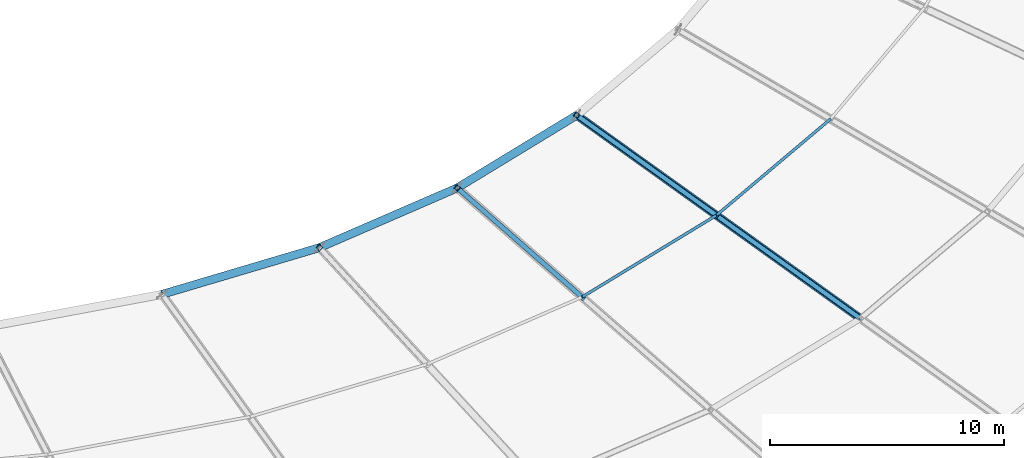
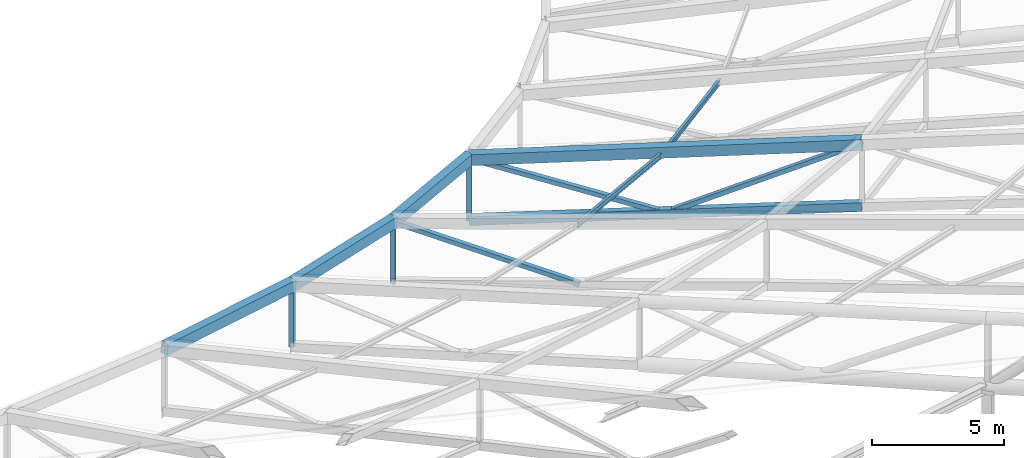
# One storey, part 64 of 143: 8 members, 5 beams.
"""IFC4 building model written with IfcOpenShell, lengths in metres."""

from ifc_helpers import new_model, si_unit, direction, frame, origin, origin_2d, place, context, subcontext, project, spatial, hollow_rectangle, i_section, extrude, material, material_profile, profile_set, type_object, element, save


model = new_model("IFC4")

# Units and contexts
model_context = context("Model", 3, precision=1e-05, world=origin(), true_north=direction((0.0, 1.0)))
body_context = subcontext(model_context, "Body", "Model", "MODEL_VIEW")
ifc_project = project(units=[si_unit("LENGTHUNIT", "METRE"), si_unit("AREAUNIT", "SQUARE_METRE"), si_unit("VOLUMEUNIT", "CUBIC_METRE"), si_unit("PLANEANGLEUNIT", "RADIAN"), si_unit("MASSUNIT", "GRAM", prefix="KILO")], contexts=[model_context])

# Site, building, storey
site_placement = place(None, origin())
site = spatial("IfcSite", under=ifc_project, at=site_placement, CompositionType="ELEMENT")
building_placement = place(site_placement, origin())
building = spatial("IfcBuilding", under=site, at=building_placement, Name="Mphavela Belvedere Stadium", CompositionType="ELEMENT")
storey_placement = place(building_placement, frame((0.0, 0.0, 28.800048828125)))
storey = spatial("IfcBuildingStorey", under=building, at=storey_placement, Name="RF", CompositionType="ELEMENT", Elevation=28.800048828125)

# Beams
ifc_material_1 = material(Name="Steel S355", Category="steel")
ifc_material_profile_1 = material_profile(ifc_material_1, hollow_rectangle(XDim=0.35009765625, YDim=0.5, WallThickness=0.02001953125, at=origin_2d()), Name="RHS 500x350x20")
ifc_profile_set_1 = profile_set([ifc_material_profile_1], Name="Steel S355")
beam_type_1 = type_object("IfcBeamType", Name="BM-RING-IN", PredefinedType="BEAM", material=ifc_profile_set_1)
beam_1_placement = place(storey_placement, frame((145.068603515625, 45.10009765625, 6.4462890625), z_axis=(0.955178265925, 0.283491054997, -0.085248472374), x_axis=(-0.284526811355, 0.958668083134, 0.0)))
element("IfcBeam", 1, at=beam_1_placement, inside=storey, type_object=beam_type_1, Name="Inner tension ring beam RB-IN-40", PredefinedType="BEAM", context=body_context, shape_type="SweptSolid", body=[
    extrude(hollow_rectangle(XDim=0.35009765625, YDim=0.5, WallThickness=0.02001953125, at=origin_2d()), origin(), (0.0, 0.0, 1.0), 7.039306640625),
])
beam_2_placement = place(storey_placement, frame((151.79248046875, 47.095703125, 5.84619140625), z_axis=(0.912114200375, 0.39539814222, -0.108203487017), x_axis=(-0.397733327252, 0.917501062884, 0.0)))
element("IfcBeam", 2, at=beam_2_placement, inside=storey, type_object=beam_type_1, Name="Inner tension ring beam RB-IN-41", PredefinedType="BEAM", context=body_context, shape_type="SweptSolid", body=[
    extrude(hollow_rectangle(XDim=0.35009765625, YDim=0.5, WallThickness=0.02001953125, at=origin_2d()), origin(), (0.0, 0.0, 1.0), 6.459716796875),
])
beam_3_placement = place(storey_placement, frame((157.6845703125, 49.64990234375, 5.147216796875), z_axis=(0.847657355277, 0.515725756117, -0.124514868679), x_axis=(-0.519770746181, 0.85430578332, 0.0)))
element("IfcBeam", 3, at=beam_3_placement, inside=storey, type_object=beam_type_1, Name="Inner tension ring beam RB-IN-42", PredefinedType="BEAM", context=body_context, shape_type="SweptSolid", body=[
    extrude(hollow_rectangle(XDim=0.35009765625, YDim=0.5, WallThickness=0.02001953125, at=origin_2d()), origin(), (0.0, 0.0, 1.0), 6.025390625),
])
ifc_material_2 = material(Name="Steel S355", Category="steel")
ifc_material_profile_2 = material_profile(ifc_material_2, hollow_rectangle(XDim=0.25, YDim=0.39990234375, WallThickness=0.01611328125, at=origin_2d()), Name="RHS 400x250x16")
ifc_profile_set_2 = profile_set([ifc_material_profile_2], Name="Steel S355")
beam_type_2 = type_object("IfcBeamType", Name="BM-TRUSS-BC2", PredefinedType="BEAM", material=ifc_profile_set_2)
beam_4_placement = place(storey_placement, frame((174.9267578125, 44.062744140625, 3.22412109375), z_axis=(-0.80779940347, 0.578789637771, -0.111636369355), x_axis=(-0.582430337712, -0.812880619595, 0.0)))
element("IfcBeam", 4, at=beam_4_placement, inside=storey, type_object=beam_type_2, Name="Radial roof truss RT-43 bottom chord 3", PredefinedType="BEAM", context=body_context, shape_type="SweptSolid", body=[
    extrude(hollow_rectangle(XDim=0.25, YDim=0.39990234375, WallThickness=0.01611328125, at=origin_2d()), origin(), (0.0, 0.0, 1.0), 15.02197265625),
])
ifc_material_3 = material(Name="Steel S355", Category="steel")
ifc_material_profile_3 = material_profile(ifc_material_3, hollow_rectangle(XDim=0.35009765625, YDim=0.5, WallThickness=0.02001953125, at=origin_2d()), Name="RHS 500x350x20")
ifc_profile_set_3 = profile_set([ifc_material_profile_3], Name="Steel S355")
beam_type_3 = type_object("IfcBeamType", Name="BM-TRUSS-TC2", PredefinedType="BEAM", material=ifc_profile_set_3)
beam_5_placement = place(storey_placement, frame((174.9267578125, 44.062744140625, 6.124267578125), z_axis=(-0.807493132765, 0.578570194293, -0.114940727392), x_axis=(-0.582430337712, -0.812880619595, 0.0)))
element("IfcBeam", 5, at=beam_5_placement, inside=storey, type_object=beam_type_3, Name="Radial roof truss RT-43 top chord 3", PredefinedType="BEAM", context=body_context, shape_type="SweptSolid", body=[
    extrude(hollow_rectangle(XDim=0.35009765625, YDim=0.5, WallThickness=0.02001953125, at=origin_2d()), origin(), (0.0, 0.0, 1.0), 15.027587890625),
])

# Members
ifc_material_4 = material(Name="Steel S355", Category="steel")
ifc_material_profile_4 = material_profile(ifc_material_4, hollow_rectangle(XDim=0.199951171875, YDim=0.199951171875, WallThickness=0.010009765625, at=origin_2d()), Name="SHS 200x200x10")
ifc_profile_set_4 = profile_set([ifc_material_profile_4], Name="Steel S355")
member_type_1 = type_object("IfcMemberType", Name="MEM-POST-SHS200", PredefinedType="POST", material=ifc_profile_set_4)
for number, where, z_axis, x_axis, name in (
    (6, (151.79248046875, 47.095703125, 2.99609375), (0.0, 0.0, 1.0), (0.677903094969, -0.735151272753, 0.0), "Radial roof truss RT-41 post P4"),
    (7, (157.6845703125, 49.64990234375, 2.297119140625), (0.0, 0.0, 1.0), (0.752529860433, -0.658558128912, 0.0), "Radial roof truss RT-42 post P4"),
):
    element("IfcMember", number, at=place(storey_placement, frame(where, z_axis=z_axis, x_axis=x_axis)), inside=storey, type_object=member_type_1, Name=name, PredefinedType="POST", context=body_context, shape_type="SweptSolid", body=[
        extrude(hollow_rectangle(XDim=0.199951171875, YDim=0.199951171875, WallThickness=0.010009765625, at=origin_2d()), origin(), (0.0, 0.0, 1.0), 2.85009765625),
    ])
member_1_placement = place(storey_placement, frame((163.103515625, 44.908203125, 3.23095703125), z_axis=(-0.7272557763, 0.636365186849, 0.257173841601), x_axis=(-0.658514209396, -0.752568293263, 0.0)))
element("IfcMember", 8, at=member_1_placement, inside=storey, type_object=member_type_1, Name="Radial roof truss RT-42 web diagonal D6", PredefinedType="POST", context=body_context, shape_type="SweptSolid", body=[
    extrude(hollow_rectangle(XDim=0.199951171875, YDim=0.199951171875, WallThickness=0.010009765625, at=origin_2d()), origin(), (0.0, 0.0, 1.0), 7.451171875),
])
member_2_placement = place(storey_placement, frame((162.7919921875, 52.75732421875, 1.547119140625), z_axis=(0.0, 0.0, 1.0), x_axis=(0.812897512265, -0.582406760395, 0.0)))
element("IfcMember", 9, at=member_2_placement, inside=storey, type_object=member_type_1, Name="Radial roof truss RT-43 post P4", PredefinedType="POST", context=body_context, shape_type="SweptSolid", body=[
    extrude(hollow_rectangle(XDim=0.199951171875, YDim=0.199951171875, WallThickness=0.010009765625, at=origin_2d()), origin(), (0.0, 0.0, 1.0), 2.849853515625),
])
member_3_placement = place(storey_placement, frame((174.9267578125, 44.062744140625, 6.124267578125), z_axis=(-0.726814727589, 0.520749357776, -0.447839768372), x_axis=(-0.58241953096, -0.812888362542, 0.0)))
element("IfcMember", 10, at=member_3_placement, inside=storey, type_object=member_type_1, Name="Radial roof truss RT-43 web diagonal D5", PredefinedType="POST", context=body_context, shape_type="SweptSolid", body=[
    extrude(hollow_rectangle(XDim=0.199951171875, YDim=0.199951171875, WallThickness=0.010009765625, at=origin_2d()), origin(), (0.0, 0.0, 1.0), 8.347900390625),
])
member_4_placement = place(storey_placement, frame((168.859375, 48.409912109375, 2.3857421875), z_axis=(-0.78487904965, 0.562382956588, 0.260173571987), x_axis=(-0.582441144155, -0.812872876652, 0.0)))
element("IfcMember", 11, at=member_4_placement, inside=storey, type_object=member_type_1, Name="Radial roof truss RT-43 web diagonal D6", PredefinedType="POST", context=body_context, shape_type="SweptSolid", body=[
    extrude(hollow_rectangle(XDim=0.199951171875, YDim=0.199951171875, WallThickness=0.010009765625, at=origin_2d()), origin(), (0.0, 0.0, 1.0), 7.730224609375),
])
ifc_material_5 = material(Name="Steel S355", Category="steel")
ifc_material_profile_5 = material_profile(ifc_material_5, i_section(OverallWidth=0.1201171875, OverallDepth=0.239990234375, WebThickness=0.006103515625, FlangeThickness=0.009765625, at=origin_2d()), Name="IPE 240")
ifc_profile_set_5 = profile_set([ifc_material_profile_5], Name="Steel S355")
member_type_2 = type_object("IfcMemberType", Name="MEM-PURLIN-IPE240", PredefinedType="PURLIN", material=ifc_profile_set_5)
member_5_placement = place(storey_placement, frame((163.02001953125, 44.981201171875, 5.93115234375), z_axis=(0.847687512929, 0.515686174801, -0.124473489322), x_axis=(-0.519728134886, 0.85433170713, 0.0)))
element("IfcMember", 12, at=member_5_placement, inside=storey, type_object=member_type_2, Name="Saddle canopy steel purlin 42-1", PredefinedType="PURLIN", context=body_context, shape_type="SweptSolid", body=[
    extrude(i_section(OverallWidth=0.1201171875, OverallDepth=0.239990234375, WebThickness=0.006103515625, FlangeThickness=0.009765625, at=origin_2d()), origin(), (0.0, 0.0, 1.0), 6.778564453125),
])
member_6_placement = place(storey_placement, frame((168.76611328125, 48.476806640625, 5.08740234375), z_axis=(0.757651820554, 0.639363505896, -0.131064969158), x_axis=(-0.64492678552, 0.764244359691, 0.0)))
element("IfcMember", 13, at=member_6_placement, inside=storey, type_object=member_type_2, Name="Saddle canopy steel purlin 43-1", PredefinedType="PURLIN", context=body_context, shape_type="SweptSolid", body=[
    extrude(i_section(OverallWidth=0.1201171875, OverallDepth=0.239990234375, WebThickness=0.006103515625, FlangeThickness=0.009765625, at=origin_2d()), origin(), (0.0, 0.0, 1.0), 6.439453125),
])

save(model, "model.ifc")
